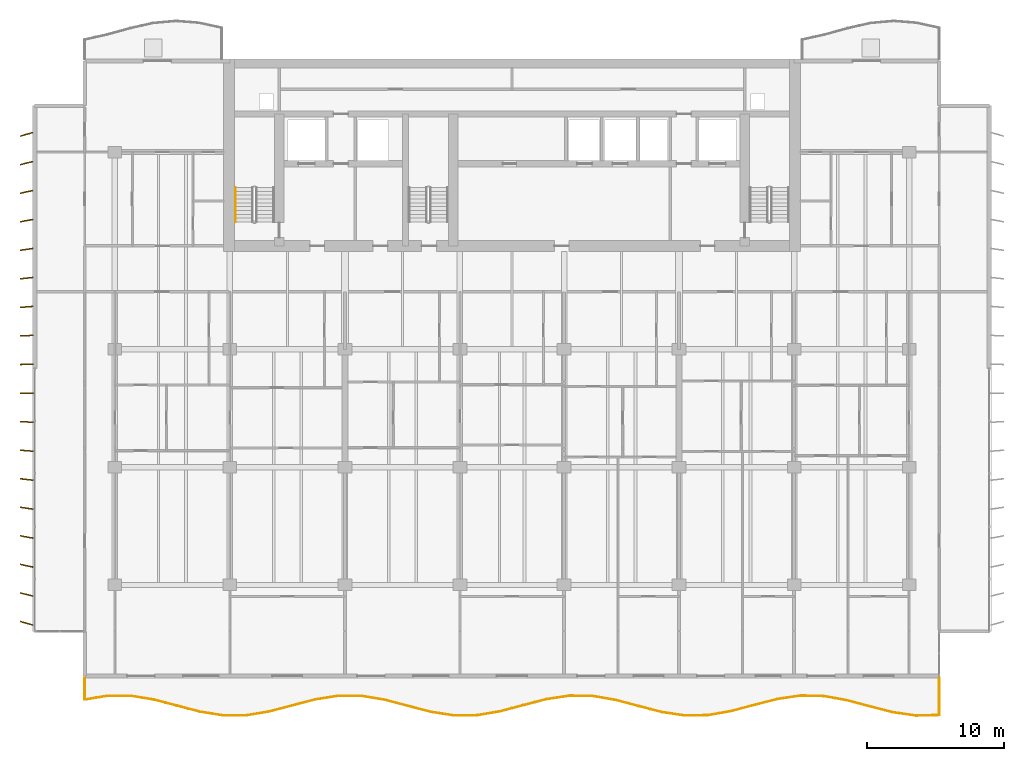
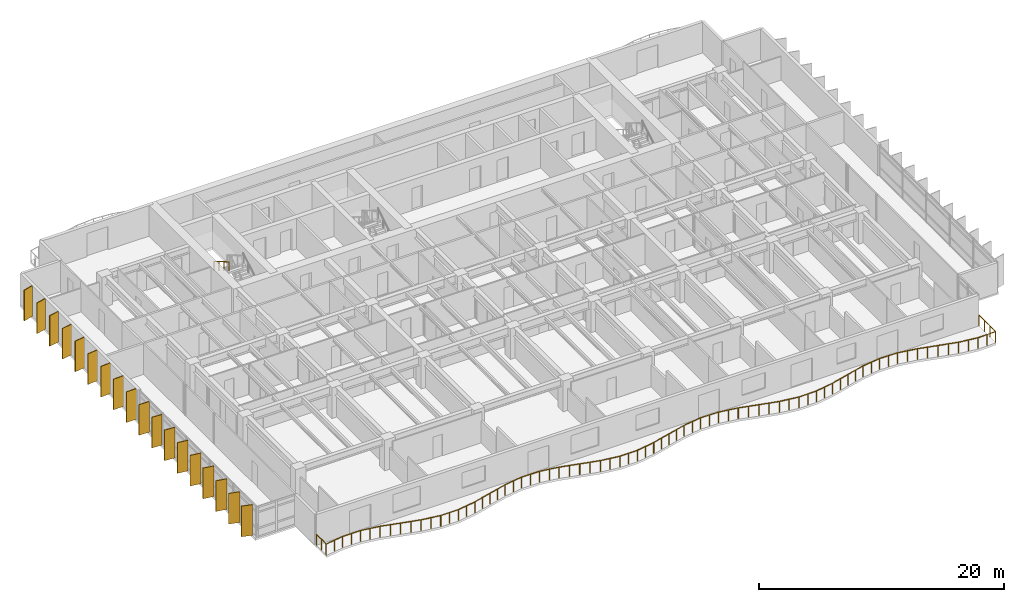
# One storey, part 16 of 19: 18 shading devices, 2 railings.
"""IFC4 building model written with IfcOpenShell, lengths in metres."""

from ifc_helpers import new_model, si_unit, direction, frame, origin, origin_2d, place, context, subcontext, project, spatial, rectangle, circle, extrude, material, material_profile, profile_set, type_object, element, save


model = new_model("IFC4")

# Units and contexts
model_context = context("Model", 3, precision=1e-05, world=origin(), true_north=direction((0.0, 1.0)))
body_context = subcontext(model_context, "Body", "Model", "MODEL_VIEW")
ifc_project = project(units=[si_unit("LENGTHUNIT", "METRE"), si_unit("AREAUNIT", "SQUARE_METRE"), si_unit("VOLUMEUNIT", "CUBIC_METRE"), si_unit("PLANEANGLEUNIT", "RADIAN"), si_unit("MASSUNIT", "GRAM", prefix="KILO")], contexts=[model_context])

# Site, building, storey
site_placement = place(None, origin())
site = spatial("IfcSite", under=ifc_project, at=site_placement, CompositionType="ELEMENT")
building_placement = place(site_placement, origin())
building = spatial("IfcBuilding", under=site, at=building_placement, Name="Caelmar Bay Residences", CompositionType="ELEMENT")
storey_placement = place(building_placement, frame((0.0, 0.0, 115.800048828125)))
storey = spatial("IfcBuildingStorey", under=building, at=storey_placement, Name="L31", CompositionType="ELEMENT", Elevation=115.800048828125)

# Railings
ifc_material_1 = material(Name="Anodised bronze handrail with laminated hurricane glass infill", Category="glass")
railing_type_1 = type_object("IfcRailingType", Name="RL-BAL-1100", PredefinedType="BALUSTRADE", material=ifc_material_1)
railing_1_placement = place(storey_placement, frame((7.699951171875, 5.39990234375, 0.0)))
element("IfcRailing", 1, at=railing_1_placement, inside=storey, type_object=railing_type_1, Name="L31 south Balcony Balustrade", PredefinedType="BALUSTRADE", context=body_context, shape_type="SweptSolid", body=[
    extrude(circle(Radius=0.02392578125, at=origin_2d()), frame((0.0, 0.0, 1.076171875), z_axis=(0.0, -1.0, 0.0), x_axis=(1.0, 0.0, 0.0)), (0.0, 0.0, 1.0), 1.5791015625),
    extrude(circle(Radius=0.02392578125, at=origin_2d()), frame((0.0, -1.5791015625, 1.076171875), z_axis=(0.987132923868, 0.159901815548, 0.0), x_axis=(-0.159901815548, 0.987132923868, 0.0)), (0.0, 0.0, 1.0), 1.70849609375),
    extrude(circle(Radius=0.02392578125, at=origin_2d()), frame((1.6865234375, -1.305908203125, 1.076171875), z_axis=(0.999999486594, -0.001013317372, 0.0), x_axis=(0.001013317372, 0.999999486594, 0.0)), (0.0, 0.0, 1.0), 1.6865234375),
    extrude(circle(Radius=0.02392578125, at=origin_2d()), frame((3.373046875, -1.3076171875, 1.076171875), z_axis=(0.986883688371, -0.161432913703, 0.0), x_axis=(0.161432913703, 0.986883688371, 0.0)), (0.0, 0.0, 1.0), 1.708984375),
    extrude(circle(Radius=0.02392578125, at=origin_2d()), frame((5.0595703125, -1.58349609375, 1.076171875), z_axis=(0.967096298002, -0.254410594103, 0.0), x_axis=(0.254410594103, 0.967096298002, 0.0)), (0.0, 0.0, 1.0), 1.74365234375),
    extrude(circle(Radius=0.02392578125, at=origin_2d()), frame((6.745849609375, -2.027099609375, 1.076171875), z_axis=(0.967483280778, -0.252934974679, 0.0), x_axis=(0.252934974679, 0.967483280778, 0.0)), (0.0, 0.0, 1.0), 1.7431640625),
    extrude(circle(Radius=0.02392578125, at=origin_2d()), frame((8.432373046875, -2.468017578125, 1.076171875), z_axis=(0.987558114501, -0.157254476831, 0.0), x_axis=(0.157254476831, 0.987558114501, 0.0)), (0.0, 0.0, 1.0), 1.707763671875),
    extrude(circle(Radius=0.02392578125, at=origin_2d()), frame((10.118896484375, -2.736572265625, 1.076171875), z_axis=(0.999990570217, 0.004342750015, 0.0), x_axis=(-0.004342750015, 0.999990570217, 0.0)), (0.0, 0.0, 1.0), 1.6865234375),
    extrude(circle(Radius=0.02392578125, at=origin_2d()), frame((11.805419921875, -2.729248046875, 1.076171875), z_axis=(0.986471004966, 0.163935830009, 0.0), x_axis=(-0.163935830009, 0.986471004966, 0.0)), (0.0, 0.0, 1.0), 1.709716796875),
    extrude(circle(Radius=0.02392578125, at=origin_2d()), frame((13.491943359375, -2.448974609375, 1.076171875), z_axis=(0.966829344983, 0.255423212883, 0.0), x_axis=(-0.255423212883, 0.966829344983, 0.0)), (0.0, 0.0, 1.0), 1.744384765625),
    extrude(circle(Radius=0.02392578125, at=origin_2d()), frame((15.178466796875, -2.00341796875, 1.076171875), z_axis=(0.967756968159, 0.251885788759, 0.0), x_axis=(-0.251885788759, 0.967756968159, 0.0)), (0.0, 0.0, 1.0), 1.74267578125),
    extrude(circle(Radius=0.02392578125, at=origin_2d()), frame((16.864990234375, -1.564453125, 1.076171875), z_axis=(0.987998395737, 0.154464138303, 0.0), x_axis=(-0.154464138303, 0.987998395737, 0.0)), (0.0, 0.0, 1.0), 1.70703125),
    extrude(circle(Radius=0.02392578125, at=origin_2d()), frame((18.551513671875, -1.30078125, 1.076171875), z_axis=(0.999970560959, -0.00767314894, 0.0), x_axis=(0.00767314894, 0.999970560959, 0.0)), (0.0, 0.0, 1.0), 1.686279296875),
    extrude(circle(Radius=0.02392578125, at=origin_2d()), frame((20.23779296875, -1.313720703125, 1.076171875), z_axis=(0.986052329388, -0.16643558426, 0.0), x_axis=(0.16643558426, 0.986052329388, 0.0)), (0.0, 0.0, 1.0), 1.71044921875),
    extrude(circle(Radius=0.02392578125, at=origin_2d()), frame((21.92431640625, -1.598388671875, 1.076171875), z_axis=(0.966621694797, -0.25620792171, 0.0), x_axis=(0.25620792171, 0.966621694797, 0.0)), (0.0, 0.0, 1.0), 1.744873046875),
    extrude(circle(Radius=0.02392578125, at=origin_2d()), frame((23.61083984375, -2.04541015625, 1.076171875), z_axis=(0.968029671356, -0.250835713915, 0.0), x_axis=(0.250835713915, 0.968029671356, 0.0)), (0.0, 0.0, 1.0), 1.7421875),
    extrude(circle(Radius=0.02392578125, at=origin_2d()), frame((25.29736328125, -2.482421875, 1.076171875), z_axis=(0.988388232703, -0.151949667506, 0.0), x_axis=(0.151949667506, 0.988388232703, 0.0)), (0.0, 0.0, 1.0), 1.706298828125),
    extrude(circle(Radius=0.02392578125, at=origin_2d()), frame((26.98388671875, -2.74169921875, 1.076171875), z_axis=(0.999937883593, 0.011145804435, 0.0), x_axis=(-0.011145804435, 0.999937883593, 0.0)), (0.0, 0.0, 1.0), 1.6865234375),
    extrude(circle(Radius=0.02392578125, at=origin_2d()), frame((28.67041015625, -2.722900390625, 1.076171875), z_axis=(0.985627685391, 0.168932133686, 0.0), x_axis=(-0.168932133686, 0.985627685391, 0.0)), (0.0, 0.0, 1.0), 1.711181640625),
    extrude(circle(Radius=0.02392578125, at=origin_2d()), frame((30.35693359375, -2.433837890625, 1.076171875), z_axis=(0.966404256029, 0.257026873943, 0.0), x_axis=(-0.257026873943, 0.966404256029, 0.0)), (0.0, 0.0, 1.0), 1.744873046875),
    extrude(circle(Radius=0.02392578125, at=origin_2d()), frame((32.043212890625, -1.9853515625, 1.076171875), z_axis=(0.968301387607, 0.249784752854, 0.0), x_axis=(-0.249784752854, 0.968301387607, 0.0)), (0.0, 0.0, 1.0), 1.74169921875),
    extrude(circle(Radius=0.02392578125, at=origin_2d()), frame((33.729736328125, -1.55029296875, 1.076171875), z_axis=(0.988793107304, 0.149292300365, 0.0), x_axis=(-0.149292300365, 0.988793107304, 0.0)), (0.0, 0.0, 1.0), 1.70556640625),
    extrude(circle(Radius=0.02392578125, at=origin_2d()), frame((35.416259765625, -1.295654296875, 1.076171875), z_axis=(0.999895239612, -0.014474453382, 0.0), x_axis=(0.014474453382, 0.999895239612, 0.0)), (0.0, 0.0, 1.0), 1.686767578125),
    extrude(circle(Radius=0.02392578125, at=origin_2d()), frame((37.102783203125, -1.320068359375, 1.076171875), z_axis=(0.985197097009, -0.171425435814, 0.0), x_axis=(0.171425435814, 0.985197097009, 0.0)), (0.0, 0.0, 1.0), 1.7119140625),
    extrude(circle(Radius=0.02392578125, at=origin_2d()), frame((38.789306640625, -1.613525390625, 1.076171875), z_axis=(0.966204754092, -0.257775819599, 0.0), x_axis=(0.257775819599, 0.966204754092, 0.0)), (0.0, 0.0, 1.0), 1.74560546875),
    extrude(circle(Radius=0.02392578125, at=origin_2d()), frame((40.475830078125, -2.0634765625, 1.076171875), z_axis=(0.968572114161, -0.248732908298, 0.0), x_axis=(0.248732908298, 0.968572114161, 0.0)), (0.0, 0.0, 1.0), 1.7412109375),
    extrude(circle(Radius=0.02392578125, at=origin_2d()), frame((42.162353515625, -2.49658203125, 1.076171875), z_axis=(0.989208844388, -0.146512327756, 0.0), x_axis=(0.146512327756, 0.989208844388, 0.0)), (0.0, 0.0, 1.0), 1.70458984375),
    extrude(circle(Radius=0.02392578125, at=origin_2d()), frame((43.8486328125, -2.746337890625, 1.076171875), z_axis=(0.999844086604, 0.017657929729, 0.0), x_axis=(-0.017657929729, 0.999844086604, 0.0)), (0.0, 0.0, 1.0), 1.686767578125),
    extrude(circle(Radius=0.02392578125, at=origin_2d()), frame((45.53515625, -2.716552734375, 1.076171875), z_axis=(0.984736165002, 0.174053685215, 0.0), x_axis=(-0.174053685215, 0.984736165002, 0.0)), (0.0, 0.0, 1.0), 1.712646484375),
    extrude(circle(Radius=0.02392578125, at=origin_2d()), frame((47.2216796875, -2.41845703125, 1.076171875), z_axis=(0.966030385071, 0.258428510656, 0.0), x_axis=(-0.258428510656, 0.966030385071, 0.0)), (0.0, 0.0, 1.0), 1.745849609375),
    extrude(circle(Radius=0.02392578125, at=origin_2d()), frame((48.908203125, -1.96728515625, 1.076171875), z_axis=(0.968841848269, 0.247680182983, 0.0), x_axis=(-0.247680182983, 0.968841848269, 0.0)), (0.0, 0.0, 1.0), 1.74072265625),
    extrude(circle(Radius=0.02392578125, at=origin_2d()), frame((50.5947265625, -1.5361328125, 1.076171875), z_axis=(0.989623137392, 0.143687320035, 0.0), x_axis=(-0.143687320035, 0.989623137392, 0.0)), (0.0, 0.0, 1.0), 1.7041015625),
    extrude(circle(Radius=0.02392578125, at=origin_2d()), frame((52.28125, -1.291259765625, 1.076171875), z_axis=(0.999779715685, -0.020988570837, 0.0), x_axis=(0.020988570837, 0.999779715685, 0.0)), (0.0, 0.0, 1.0), 1.686767578125),
    extrude(circle(Radius=0.02392578125, at=origin_2d()), frame((53.967529296875, -1.32666015625, 1.076171875), z_axis=(0.984318184636, -0.176402129789, 0.0), x_axis=(0.176402129789, 0.984318184636, 0.0)), (0.0, 0.0, 1.0), 1.71337890625),
    extrude(circle(Radius=0.02392578125, at=origin_2d()), frame((55.654052734375, -1.62890625, 1.076171875), z_axis=(0.965785634121, -0.259341683743, 0.0), x_axis=(0.259341683743, 0.965785634121, 0.0)), (0.0, 0.0, 1.0), 1.746337890625),
    extrude(circle(Radius=0.02392578125, at=origin_2d()), frame((57.340576171875, -2.081787109375, 1.076171875), z_axis=(0.969177616103, -0.246363041962, 0.0), x_axis=(0.246363041962, 0.969177616103, 0.0)), (0.0, 0.0, 1.0), 1.740234375),
    extrude(circle(Radius=0.02392578125, at=origin_2d()), frame((59.027099609375, -2.510498046875, 1.076171875), z_axis=(0.990006737563, -0.141020068003, 0.0), x_axis=(0.141020068003, 0.990006737563, 0.0)), (0.0, 0.0, 1.0), 1.70361328125),
    extrude(circle(Radius=0.02392578125, at=origin_2d()), frame((60.713623046875, -2.750732421875, 1.076171875), z_axis=(0.999700881094, 0.024457071353, 0.0), x_axis=(-0.024457071353, 0.999700881094, 0.0)), (0.0, 0.0, 1.0), 1.68701171875),
    extrude(circle(Radius=0.02392578125, at=origin_2d()), frame((62.400146484375, -2.70947265625, 1.076171875), z_axis=(0.0, 1.0, 0.0), x_axis=(-1.0, 0.0, 0.0)), (0.0, 0.0, 1.0), 2.70947265625),
    extrude(circle(Radius=0.02099609375, at=origin_2d()), origin(), (0.0, 0.0, 1.0), 1.052001953125),
    extrude(circle(Radius=0.02099609375, at=origin_2d()), frame((0.0, -0.78955078125, 0.0)), (0.0, 0.0, 1.0), 1.052001953125),
    extrude(circle(Radius=0.02099609375, at=origin_2d()), frame((0.0, -1.5791015625, 0.0)), (0.0, 0.0, 1.0), 1.052001953125),
    extrude(circle(Radius=0.02099609375, at=origin_2d()), frame((0.84326171875, -1.4423828125, 0.0)), (0.0, 0.0, 1.0), 1.052001953125),
    extrude(circle(Radius=0.02099609375, at=origin_2d()), frame((1.6865234375, -1.305908203125, 0.0)), (0.0, 0.0, 1.0), 1.052001953125),
    extrude(circle(Radius=0.02099609375, at=origin_2d()), frame((2.52978515625, -1.306640625, 0.0)), (0.0, 0.0, 1.0), 1.052001953125),
    extrude(circle(Radius=0.02099609375, at=origin_2d()), frame((3.373046875, -1.3076171875, 0.0)), (0.0, 0.0, 1.0), 1.052001953125),
    extrude(circle(Radius=0.02099609375, at=origin_2d()), frame((4.21630859375, -1.445556640625, 0.0)), (0.0, 0.0, 1.0), 1.052001953125),
    extrude(circle(Radius=0.02099609375, at=origin_2d()), frame((5.0595703125, -1.58349609375, 0.0)), (0.0, 0.0, 1.0), 1.052001953125),
    extrude(circle(Radius=0.02099609375, at=origin_2d()), frame((5.90283203125, -1.80517578125, 0.0)), (0.0, 0.0, 1.0), 1.052001953125),
    extrude(circle(Radius=0.02099609375, at=origin_2d()), frame((6.745849609375, -2.027099609375, 0.0)), (0.0, 0.0, 1.0), 1.052001953125),
    extrude(circle(Radius=0.02099609375, at=origin_2d()), frame((7.589111328125, -2.24755859375, 0.0)), (0.0, 0.0, 1.0), 1.052001953125),
    extrude(circle(Radius=0.02099609375, at=origin_2d()), frame((8.432373046875, -2.468017578125, 0.0)), (0.0, 0.0, 1.0), 1.052001953125),
    extrude(circle(Radius=0.02099609375, at=origin_2d()), frame((9.275634765625, -2.602294921875, 0.0)), (0.0, 0.0, 1.0), 1.052001953125),
    extrude(circle(Radius=0.02099609375, at=origin_2d()), frame((10.118896484375, -2.736572265625, 0.0)), (0.0, 0.0, 1.0), 1.052001953125),
    extrude(circle(Radius=0.02099609375, at=origin_2d()), frame((10.962158203125, -2.73291015625, 0.0)), (0.0, 0.0, 1.0), 1.052001953125),
    extrude(circle(Radius=0.02099609375, at=origin_2d()), frame((11.805419921875, -2.729248046875, 0.0)), (0.0, 0.0, 1.0), 1.052001953125),
    extrude(circle(Radius=0.02099609375, at=origin_2d()), frame((12.648681640625, -2.589111328125, 0.0)), (0.0, 0.0, 1.0), 1.052001953125),
    extrude(circle(Radius=0.02099609375, at=origin_2d()), frame((13.491943359375, -2.448974609375, 0.0)), (0.0, 0.0, 1.0), 1.052001953125),
    extrude(circle(Radius=0.02099609375, at=origin_2d()), frame((14.335205078125, -2.22607421875, 0.0)), (0.0, 0.0, 1.0), 1.052001953125),
    extrude(circle(Radius=0.02099609375, at=origin_2d()), frame((15.178466796875, -2.00341796875, 0.0)), (0.0, 0.0, 1.0), 1.052001953125),
    extrude(circle(Radius=0.02099609375, at=origin_2d()), frame((16.021728515625, -1.783935546875, 0.0)), (0.0, 0.0, 1.0), 1.052001953125),
    extrude(circle(Radius=0.02099609375, at=origin_2d()), frame((16.864990234375, -1.564453125, 0.0)), (0.0, 0.0, 1.0), 1.052001953125),
    extrude(circle(Radius=0.02099609375, at=origin_2d()), frame((17.708251953125, -1.4326171875, 0.0)), (0.0, 0.0, 1.0), 1.052001953125),
    extrude(circle(Radius=0.02099609375, at=origin_2d()), frame((18.551513671875, -1.30078125, 0.0)), (0.0, 0.0, 1.0), 1.052001953125),
    extrude(circle(Radius=0.02099609375, at=origin_2d()), frame((19.39453125, -1.30712890625, 0.0)), (0.0, 0.0, 1.0), 1.052001953125),
    extrude(circle(Radius=0.02099609375, at=origin_2d()), frame((20.23779296875, -1.313720703125, 0.0)), (0.0, 0.0, 1.0), 1.052001953125),
    extrude(circle(Radius=0.02099609375, at=origin_2d()), frame((21.0810546875, -1.4560546875, 0.0)), (0.0, 0.0, 1.0), 1.052001953125),
    extrude(circle(Radius=0.02099609375, at=origin_2d()), frame((21.92431640625, -1.598388671875, 0.0)), (0.0, 0.0, 1.0), 1.052001953125),
    extrude(circle(Radius=0.02099609375, at=origin_2d()), frame((22.767578125, -1.82177734375, 0.0)), (0.0, 0.0, 1.0), 1.052001953125),
    extrude(circle(Radius=0.02099609375, at=origin_2d()), frame((23.61083984375, -2.04541015625, 0.0)), (0.0, 0.0, 1.0), 1.052001953125),
    extrude(circle(Radius=0.02099609375, at=origin_2d()), frame((24.4541015625, -2.263916015625, 0.0)), (0.0, 0.0, 1.0), 1.052001953125),
    extrude(circle(Radius=0.02099609375, at=origin_2d()), frame((25.29736328125, -2.482421875, 0.0)), (0.0, 0.0, 1.0), 1.052001953125),
    extrude(circle(Radius=0.02099609375, at=origin_2d()), frame((26.140625, -2.612060546875, 0.0)), (0.0, 0.0, 1.0), 1.052001953125),
    extrude(circle(Radius=0.02099609375, at=origin_2d()), frame((26.98388671875, -2.74169921875, 0.0)), (0.0, 0.0, 1.0), 1.052001953125),
    extrude(circle(Radius=0.02099609375, at=origin_2d()), frame((27.8271484375, -2.732421875, 0.0)), (0.0, 0.0, 1.0), 1.052001953125),
    extrude(circle(Radius=0.02099609375, at=origin_2d()), frame((28.67041015625, -2.722900390625, 0.0)), (0.0, 0.0, 1.0), 1.052001953125),
    extrude(circle(Radius=0.02099609375, at=origin_2d()), frame((29.513671875, -2.578369140625, 0.0)), (0.0, 0.0, 1.0), 1.052001953125),
    extrude(circle(Radius=0.02099609375, at=origin_2d()), frame((30.35693359375, -2.433837890625, 0.0)), (0.0, 0.0, 1.0), 1.052001953125),
    extrude(circle(Radius=0.02099609375, at=origin_2d()), frame((31.2001953125, -2.20947265625, 0.0)), (0.0, 0.0, 1.0), 1.052001953125),
    extrude(circle(Radius=0.02099609375, at=origin_2d()), frame((32.043212890625, -1.9853515625, 0.0)), (0.0, 0.0, 1.0), 1.052001953125),
    extrude(circle(Radius=0.02099609375, at=origin_2d()), frame((32.886474609375, -1.767822265625, 0.0)), (0.0, 0.0, 1.0), 1.052001953125),
    extrude(circle(Radius=0.02099609375, at=origin_2d()), frame((33.729736328125, -1.55029296875, 0.0)), (0.0, 0.0, 1.0), 1.052001953125),
    extrude(circle(Radius=0.02099609375, at=origin_2d()), frame((34.572998046875, -1.4228515625, 0.0)), (0.0, 0.0, 1.0), 1.052001953125),
    extrude(circle(Radius=0.02099609375, at=origin_2d()), frame((35.416259765625, -1.295654296875, 0.0)), (0.0, 0.0, 1.0), 1.052001953125),
    extrude(circle(Radius=0.02099609375, at=origin_2d()), frame((36.259521484375, -1.307861328125, 0.0)), (0.0, 0.0, 1.0), 1.052001953125),
    extrude(circle(Radius=0.02099609375, at=origin_2d()), frame((37.102783203125, -1.320068359375, 0.0)), (0.0, 0.0, 1.0), 1.052001953125),
    extrude(circle(Radius=0.02099609375, at=origin_2d()), frame((37.946044921875, -1.466796875, 0.0)), (0.0, 0.0, 1.0), 1.052001953125),
    extrude(circle(Radius=0.02099609375, at=origin_2d()), frame((38.789306640625, -1.613525390625, 0.0)), (0.0, 0.0, 1.0), 1.052001953125),
    extrude(circle(Radius=0.02099609375, at=origin_2d()), frame((39.632568359375, -1.83837890625, 0.0)), (0.0, 0.0, 1.0), 1.052001953125),
    extrude(circle(Radius=0.02099609375, at=origin_2d()), frame((40.475830078125, -2.0634765625, 0.0)), (0.0, 0.0, 1.0), 1.052001953125),
    extrude(circle(Radius=0.02099609375, at=origin_2d()), frame((41.319091796875, -2.280029296875, 0.0)), (0.0, 0.0, 1.0), 1.052001953125),
    extrude(circle(Radius=0.02099609375, at=origin_2d()), frame((42.162353515625, -2.49658203125, 0.0)), (0.0, 0.0, 1.0), 1.052001953125),
    extrude(circle(Radius=0.02099609375, at=origin_2d()), frame((43.00537109375, -2.62158203125, 0.0)), (0.0, 0.0, 1.0), 1.052001953125),
    extrude(circle(Radius=0.02099609375, at=origin_2d()), frame((43.8486328125, -2.746337890625, 0.0)), (0.0, 0.0, 1.0), 1.052001953125),
    extrude(circle(Radius=0.02099609375, at=origin_2d()), frame((44.69189453125, -2.7314453125, 0.0)), (0.0, 0.0, 1.0), 1.052001953125),
    extrude(circle(Radius=0.02099609375, at=origin_2d()), frame((45.53515625, -2.716552734375, 0.0)), (0.0, 0.0, 1.0), 1.052001953125),
    extrude(circle(Radius=0.02099609375, at=origin_2d()), frame((46.37841796875, -2.5673828125, 0.0)), (0.0, 0.0, 1.0), 1.052001953125),
    extrude(circle(Radius=0.02099609375, at=origin_2d()), frame((47.2216796875, -2.41845703125, 0.0)), (0.0, 0.0, 1.0), 1.052001953125),
    extrude(circle(Radius=0.02099609375, at=origin_2d()), frame((48.06494140625, -2.19287109375, 0.0)), (0.0, 0.0, 1.0), 1.052001953125),
    extrude(circle(Radius=0.02099609375, at=origin_2d()), frame((48.908203125, -1.96728515625, 0.0)), (0.0, 0.0, 1.0), 1.052001953125),
    extrude(circle(Radius=0.02099609375, at=origin_2d()), frame((49.75146484375, -1.751708984375, 0.0)), (0.0, 0.0, 1.0), 1.052001953125),
    extrude(circle(Radius=0.02099609375, at=origin_2d()), frame((50.5947265625, -1.5361328125, 0.0)), (0.0, 0.0, 1.0), 1.052001953125),
    extrude(circle(Radius=0.02099609375, at=origin_2d()), frame((51.43798828125, -1.41357421875, 0.0)), (0.0, 0.0, 1.0), 1.052001953125),
    extrude(circle(Radius=0.02099609375, at=origin_2d()), frame((52.28125, -1.291259765625, 0.0)), (0.0, 0.0, 1.0), 1.052001953125),
    extrude(circle(Radius=0.02099609375, at=origin_2d()), frame((53.12451171875, -1.30908203125, 0.0)), (0.0, 0.0, 1.0), 1.052001953125),
    extrude(circle(Radius=0.02099609375, at=origin_2d()), frame((53.967529296875, -1.32666015625, 0.0)), (0.0, 0.0, 1.0), 1.052001953125),
    extrude(circle(Radius=0.02099609375, at=origin_2d()), frame((54.810791015625, -1.477783203125, 0.0)), (0.0, 0.0, 1.0), 1.052001953125),
    extrude(circle(Radius=0.02099609375, at=origin_2d()), frame((55.654052734375, -1.62890625, 0.0)), (0.0, 0.0, 1.0), 1.052001953125),
    extrude(circle(Radius=0.02099609375, at=origin_2d()), frame((56.497314453125, -1.85546875, 0.0)), (0.0, 0.0, 1.0), 1.052001953125),
    extrude(circle(Radius=0.02099609375, at=origin_2d()), frame((57.340576171875, -2.081787109375, 0.0)), (0.0, 0.0, 1.0), 1.052001953125),
    extrude(circle(Radius=0.02099609375, at=origin_2d()), frame((58.183837890625, -2.296142578125, 0.0)), (0.0, 0.0, 1.0), 1.052001953125),
    extrude(circle(Radius=0.02099609375, at=origin_2d()), frame((59.027099609375, -2.510498046875, 0.0)), (0.0, 0.0, 1.0), 1.052001953125),
    extrude(circle(Radius=0.02099609375, at=origin_2d()), frame((59.870361328125, -2.630615234375, 0.0)), (0.0, 0.0, 1.0), 1.052001953125),
    extrude(circle(Radius=0.02099609375, at=origin_2d()), frame((60.713623046875, -2.750732421875, 0.0)), (0.0, 0.0, 1.0), 1.052001953125),
    extrude(circle(Radius=0.02099609375, at=origin_2d()), frame((61.556884765625, -2.72998046875, 0.0)), (0.0, 0.0, 1.0), 1.052001953125),
    extrude(circle(Radius=0.02099609375, at=origin_2d()), frame((62.400146484375, -2.70947265625, 0.0)), (0.0, 0.0, 1.0), 1.052001953125),
    extrude(circle(Radius=0.02099609375, at=origin_2d()), frame((62.400146484375, -1.806396484375, 0.0)), (0.0, 0.0, 1.0), 1.052001953125),
    extrude(circle(Radius=0.02099609375, at=origin_2d()), frame((62.400146484375, -0.903076171875, 0.0)), (0.0, 0.0, 1.0), 1.052001953125),
    extrude(circle(Radius=0.02099609375, at=origin_2d()), frame((62.400146484375, 0.0, 0.0)), (0.0, 0.0, 1.0), 1.052001953125),
])
ifc_material_2 = material(Name="Brushed bronze stainless-steel tubular handrail 900 mm", Category="steel")
railing_type_2 = type_object("IfcRailingType", Name="RL-HND-900", PredefinedType="HANDRAIL", material=ifc_material_2)
railing_2_placement = place(storey_placement, frame((18.699951171875, 41.219970703125, 1.81494140625)))
element("IfcRailing", 2, at=railing_2_placement, inside=storey, type_object=railing_type_2, Name="L31 ST1 stair handrail 2", PredefinedType="HANDRAIL", context=body_context, shape_type="SweptSolid", body=[
    extrude(circle(Radius=0.02392578125, at=origin_2d()), frame((0.0, 0.0, 0.8759765625), z_axis=(0.0, -0.86152411907, 0.507716645641), x_axis=(1.0, 0.0, 0.0)), (0.0, 0.0, 1.0), 2.925048828125),
    extrude(circle(Radius=0.02099609375, at=origin_2d()), origin(), (0.0, 0.0, 1.0), 0.851806640625),
    extrude(circle(Radius=0.02099609375, at=origin_2d()), frame((0.0, -0.840087890625, 0.4951171875)), (0.0, 0.0, 1.0), 0.851806640625),
    extrude(circle(Radius=0.02099609375, at=origin_2d()), frame((0.0, -1.679931640625, 0.989990234375)), (0.0, 0.0, 1.0), 0.851806640625),
    extrude(circle(Radius=0.02099609375, at=origin_2d()), frame((0.0, -2.52001953125, 1.485107421875)), (0.0, 0.0, 1.0), 0.851806640625),
])

# Shading devices
ifc_material_3 = material(Name="Anodised architectural bronze aluminium 6063-T6", Category="aluminium")
ifc_material_profile = material_profile(ifc_material_3, rectangle(XDim=0.074951171875, YDim=0.949951171875, at=origin_2d()), Name="BRONZE-FIN-75X950")
ifc_profile_set = profile_set([ifc_material_profile], Name="Anodised architectural bronze aluminium 6063-T6")
shading_device_type = type_object("IfcShadingDeviceType", Name="SHD-FIN-950", PredefinedType="USERDEFINED", material=ifc_profile_set)
for number, where, z_axis, x_axis, name in (
    (3, (3.449951171875, 9.39990234375, 0.0), (0.0, 0.0, 1.0), (0.275637355817, 0.961261695938, 0.0), "L31 West Bronze Solar Fin 1"),
    (4, (3.449951171875, 11.5, 0.0), (0.0, 0.0, 1.0), (0.243953546137, 0.969786918517, 0.0), "L31 West Bronze Solar Fin 2"),
    (5, (3.449951171875, 13.60009765625, 0.0), (0.0, 0.0, 1.0), (0.212007109922, 0.977268123568, 0.0), "L31 West Bronze Solar Fin 3"),
    (6, (3.449951171875, 15.699951171875, 0.0), (0.0, 0.0, 1.0), (0.179660748593, 0.98372862895, 0.0), "L31 West Bronze Solar Fin 4"),
    (7, (3.449951171875, 17.800048828125, 0.0), (0.0, 0.0, 1.0), (0.147291543397, 0.989093120613, 0.0), "L31 West Bronze Solar Fin 5"),
    (8, (3.449951171875, 19.89990234375, 0.0), (0.0, 0.0, 1.0), (0.114763772489, 0.993392810787, 0.0), "L31 West Bronze Solar Fin 6"),
    (9, (3.449951171875, 22.0, 0.0), (0.0, 0.0, 1.0), (0.08211245342, 0.996623070671, 0.0), "L31 West Bronze Solar Fin 7"),
    (10, (3.449951171875, 24.10009765625, 0.0), (0.0, 0.0, 1.0), (0.049198415926, 0.998789024705, 0.0), "L31 West Bronze Solar Fin 8"),
    (11, (3.449951171875, 26.199951171875, 0.0), (0.0, 0.0, 1.0), (0.016405359001, 0.999865423043, 0.0), "L31 West Bronze Solar Fin 9"),
    (12, (3.449951171875, 28.300048828125, 0.0), (0.0, 0.0, 1.0), (-0.016405359001, 0.999865423043, 0.0), "L31 West Bronze Solar Fin 10"),
    (13, (3.449951171875, 30.39990234375, 0.0), (0.0, 0.0, 1.0), (-0.049198415926, 0.998789024705, 0.0), "L31 West Bronze Solar Fin 11"),
    (14, (3.449951171875, 32.5, 0.0), (0.0, 0.0, 1.0), (-0.08211245342, 0.996623070671, 0.0), "L31 West Bronze Solar Fin 12"),
    (15, (3.449951171875, 34.60009765625, 0.0), (0.0, 0.0, 1.0), (-0.114763772489, 0.993392810787, 0.0), "L31 West Bronze Solar Fin 13"),
    (16, (3.449951171875, 36.699951171875, 0.0), (0.0, 0.0, 1.0), (-0.147291543397, 0.989093120613, 0.0), "L31 West Bronze Solar Fin 14"),
    (17, (3.449951171875, 38.800048828125, 0.0), (0.0, 0.0, 1.0), (-0.179660748593, 0.98372862895, 0.0), "L31 West Bronze Solar Fin 15"),
    (18, (3.449951171875, 40.89990234375, 0.0), (0.0, 0.0, 1.0), (-0.212007109922, 0.977268123568, 0.0), "L31 West Bronze Solar Fin 16"),
    (19, (3.449951171875, 43.0, 0.0), (0.0, 0.0, 1.0), (-0.243953546137, 0.969786918517, 0.0), "L31 West Bronze Solar Fin 17"),
    (20, (3.449951171875, 45.10009765625, 0.0), (0.0, 0.0, 1.0), (-0.275637355817, 0.961261695938, 0.0), "L31 West Bronze Solar Fin 18"),
):
    element("IfcShadingDevice", number, at=place(storey_placement, frame(where, z_axis=z_axis, x_axis=x_axis)), inside=storey, type_object=shading_device_type, Name=name, ObjectType="FIN", PredefinedType="USERDEFINED", context=body_context, shape_type="SweptSolid", body=[
        extrude(rectangle(XDim=0.074951171875, YDim=0.949951171875, at=origin_2d()), origin(), (0.0, 0.0, 1.0), 3.050048828125),
    ])

save(model, "model.ifc")
